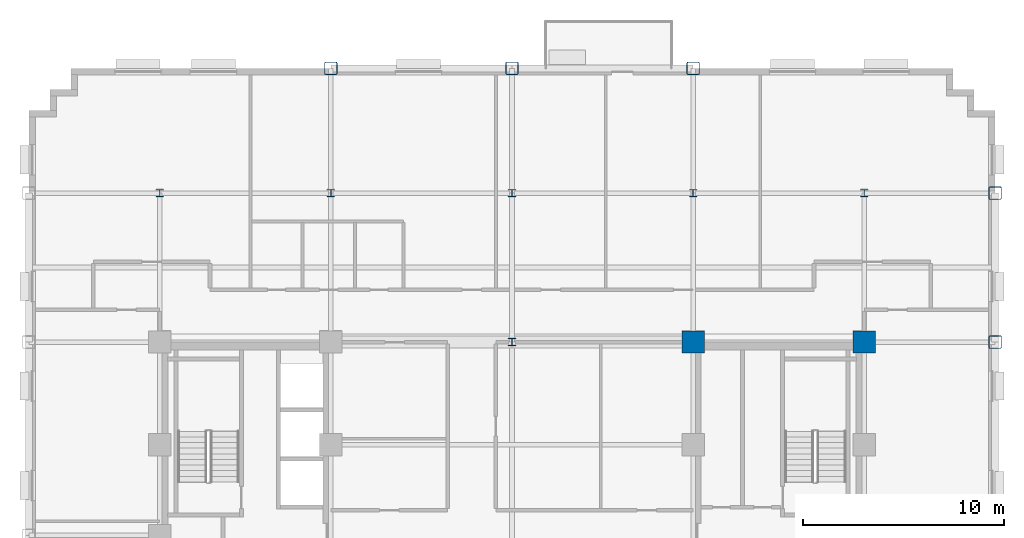
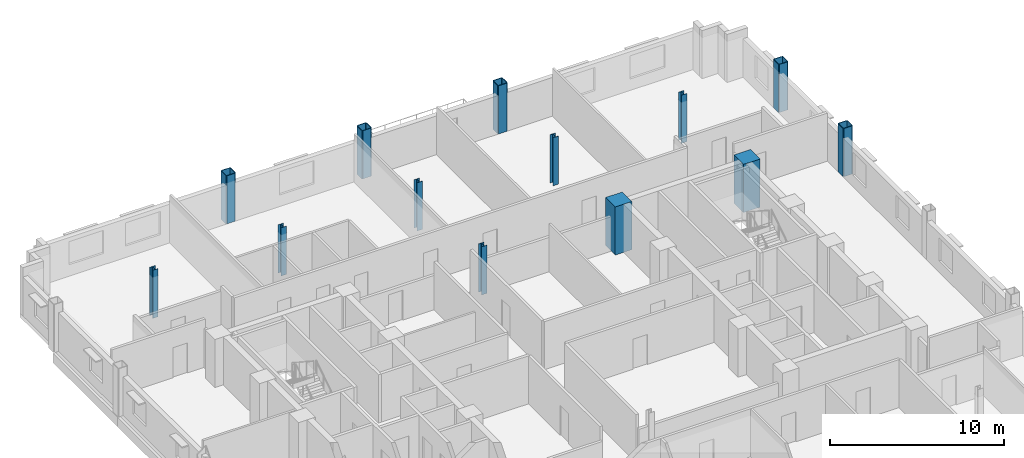
# One storey, part 3 of 14: 13 columns.
"""IFC4 building model written with IfcOpenShell, lengths in metres."""

import ifcopenshell
import ifcopenshell.guid

model = None  # the IFC model being written
_history = None  # IfcOwnerHistory: only IFC2X3 demands one
_inside = {}  # id of a spatial element -> (the spatial element, [elements in it])
_under = {}  # id of a project, library or spatial element -> (it, [spatial elements below it])
_declared = {}  # id of a project -> (the project, [libraries it declares])
_typed = {}  # id of a type object -> (the type object, [elements of that type])
_made_of = {}  # id of a material, layer set ... -> (it, [elements and type objects made of it])


def new_model(schema):
    """Start an empty IFC model of exactly this schema.

    Asked for "IFC4X3", IfcOpenShell would pick the latest addendum, in which some entities
    have other attributes; the version numbers below select the first issue.
    IFC2X3 requires an IfcOwnerHistory on every rooted entity: one is made here for all.
    """
    global model, _history
    if schema == "IFC4X3":
        model = ifcopenshell.file(schema_version=(4, 3, 0, 0))
    else:
        model = ifcopenshell.file(schema=schema)
    _inside.clear()
    _under.clear()
    _declared.clear()
    _typed.clear()
    _made_of.clear()
    _history = None
    if model.schema == "IFC2X3":
        org = make("IfcOrganization", Name="unknown")
        user = make(
            "IfcPersonAndOrganization",
            ThePerson=make("IfcPerson", FamilyName="unknown"),
            TheOrganization=org,
        )
        app = make(
            "IfcApplication",
            ApplicationDeveloper=org,
            Version="unknown",
            ApplicationFullName="unknown",
            ApplicationIdentifier="unknown",
        )
        _history = make(
            "IfcOwnerHistory",
            OwningUser=user,
            OwningApplication=app,
            ChangeAction="ADDED",
            CreationDate=0,
        )
    return model


def make(cls, **values):
    """One entity of the class cls with the attributes given. An attribute that is None is left unset."""
    return model.create_entity(
        cls, **{name: value for name, value in values.items() if value is not None}
    )


def rooted(cls, **values):
    """An entity with a GlobalId (a new one), such as an element, a storey or a relation."""
    return make(cls, GlobalId=ifcopenshell.guid.new(), OwnerHistory=_history, **values)


def si_unit(unit_type, name, prefix=None):
    """IfcSIUnit, for example si_unit("LENGTHUNIT", "METRE", prefix="MILLI")."""
    return make("IfcSIUnit", UnitType=unit_type, Prefix=prefix, Name=name)


def assignment(units):
    """IfcUnitAssignment: the units of a project."""
    return None if units is None else make("IfcUnitAssignment", Units=units)


def point(xyz):
    """IfcCartesianPoint."""
    return None if xyz is None else make("IfcCartesianPoint", Coordinates=xyz)


def direction(xyz):
    """IfcDirection."""
    return None if xyz is None else make("IfcDirection", DirectionRatios=xyz)


def frame(location, z_axis=None, x_axis=None):
    """IfcAxis2Placement3D, a coordinate frame: its origin and axes. An axis left out is left unset."""
    return make(
        "IfcAxis2Placement3D",
        Location=point(location),
        Axis=direction(z_axis),
        RefDirection=direction(x_axis),
    )


def frame_2d(location, x_axis=None):
    """IfcAxis2Placement2D, a coordinate frame in the plane: its origin and x axis."""
    return make(
        "IfcAxis2Placement2D", Location=point(location), RefDirection=direction(x_axis)
    )


def origin():
    """The frame at (0, 0, 0) with its axes left unset."""
    return frame((0.0, 0.0, 0.0))


def origin_2d():
    """The frame at (0, 0) in the plane with its x axis left unset."""
    return frame_2d((0.0, 0.0))


def place(relative_to, where):
    """IfcLocalPlacement: puts the frame where relative to a parent placement (None: the world)."""
    return make(
        "IfcLocalPlacement", PlacementRelTo=relative_to, RelativePlacement=where
    )


def context(
    kind, dimensions, precision=None, world=None, true_north=None, identifier=None
):
    """IfcGeometricRepresentationContext, for example the 3D "Model" context."""
    return make(
        "IfcGeometricRepresentationContext",
        ContextIdentifier=identifier,
        ContextType=kind,
        CoordinateSpaceDimension=dimensions,
        Precision=precision,
        WorldCoordinateSystem=world,
        TrueNorth=true_north,
    )


def subcontext(parent, identifier, kind, view, scale=None):
    """IfcGeometricRepresentationSubContext, for example "Body" below "Model"."""
    return make(
        "IfcGeometricRepresentationSubContext",
        ContextIdentifier=identifier,
        ContextType=kind,
        ParentContext=parent,
        TargetScale=scale,
        TargetView=view,
    )


def project(units=None, contexts=None):
    """IfcProject with its units and contexts."""
    return rooted(
        "IfcProject",
        Name="project",
        RepresentationContexts=contexts,
        UnitsInContext=assignment(units),
    )


def spatial(cls, under=None, at=None, **own):
    """A site, building, storey or space (cls), placed at a placement, below another one or the project."""
    s = rooted(cls, ObjectPlacement=at, **own)
    if under is not None:
        _under.setdefault(under.id(), (under, []))[1].append(s)
    return s


def profile(cls, at=None, kind="AREA", **sizes):
    """A parametric profile (cls). Its sizes go by their IFC names, for example OverallWidth=200.0."""
    return make(cls, ProfileType=kind, Position=at, **sizes)


def rectangle(**sizes):
    """IfcRectangleProfileDef."""
    return profile("IfcRectangleProfileDef", **sizes)


def hollow_rectangle(**sizes):
    """IfcRectangleHollowProfileDef."""
    return profile("IfcRectangleHollowProfileDef", **sizes)


def i_section(**sizes):
    """IfcIShapeProfileDef."""
    return profile("IfcIShapeProfileDef", **sizes)


def extrude(swept, where, along, depth):
    """IfcExtrudedAreaSolid: the profile swept, set in the frame where, extruded along a direction by depth."""
    return make(
        "IfcExtrudedAreaSolid",
        SweptArea=swept,
        Position=where,
        ExtrudedDirection=direction(along),
        Depth=depth,
    )


def shape(context_of_items, identifier, shape_type, items):
    """IfcShapeRepresentation: the items that make up one representation, for example the "Body"."""
    return make(
        "IfcShapeRepresentation",
        ContextOfItems=context_of_items,
        RepresentationIdentifier=identifier,
        RepresentationType=shape_type,
        Items=items,
    )


def material(Name=None, Category=None):
    """IfcMaterial."""
    return make("IfcMaterial", Name=Name, Category=Category)


def material_profile(
    of_material, cross_section, Name=None, Category=None, Priority=None
):
    """IfcMaterialProfile: a cross section and its material."""
    return make(
        "IfcMaterialProfile",
        Name=Name,
        Material=of_material,
        Profile=cross_section,
        Priority=Priority,
        Category=Category,
    )


def profile_set(profiles, Name=None, composite=None):
    """IfcMaterialProfileSet."""
    return make(
        "IfcMaterialProfileSet",
        Name=Name,
        MaterialProfiles=profiles,
        CompositeProfile=composite,
    )


def made_of(thing, what):
    """Note that an element or type object is made of a material, layer set ...; save() writes the relation."""
    if what is not None:
        _made_of.setdefault(what.id(), (what, []))[1].append(thing)
    return thing


def type_object(cls, material=None, **own):
    """A type object (cls), such as IfcWallType, which elements share."""
    return made_of(rooted(cls, **own), material)


def element(
    cls,
    number,
    at=None,
    inside=None,
    cuts=None,
    type_object=None,
    material=None,
    context=None,
    identifier="Body",
    shape_type=None,
    held_by="IfcProductDefinitionShape",
    body=None,
    shapes=None,
    **own,
):
    """One element of the class cls, such as IfcWall. Its Tag is "e" and its number.

    at: its placement. inside: the storey or other place that contains it. cuts: it is an
    opening in that element (IfcRelVoidsElement). A single representation is given by context,
    identifier, shape_type and body (its items); several are given by shapes. held_by: the class
    of the entity that holds the representations. save() writes the other relations.
    """
    e = rooted(cls, Tag="e%d" % number, ObjectPlacement=at, **own)
    if body is not None:
        shapes = [shape(context, identifier, shape_type, body)]
    if shapes is not None:
        e.Representation = make(held_by, Representations=shapes)
    if inside is not None:
        _inside.setdefault(inside.id(), (inside, []))[1].append(e)
    if cuts is not None:
        rooted(
            "IfcRelVoidsElement", RelatingBuildingElement=cuts, RelatedOpeningElement=e
        )
    if type_object is not None:
        _typed.setdefault(type_object.id(), (type_object, []))[1].append(e)
    return made_of(e, material)


def aggregate(whole, parts):
    """IfcRelAggregates: a whole, such as a stair, and the parts it consists of."""
    return rooted("IfcRelAggregates", RelatingObject=whole, RelatedObjects=parts)


def save(model, path):
    """Write the relations noted so far, then the file.

    IfcRelAggregates (storeys below a building ...), IfcRelContainedInSpatialStructure (elements
    in a storey), IfcRelDefinesByType, IfcRelAssociatesMaterial and IfcRelDeclares: one each for
    every whole, place, type object, material and project.
    """
    for whole, parts in _under.values():
        aggregate(whole, parts)
    for where, things in _inside.values():
        rooted(
            "IfcRelContainedInSpatialStructure",
            RelatedElements=things,
            RelatingStructure=where,
        )
    for kind, things in _typed.values():
        rooted("IfcRelDefinesByType", RelatedObjects=things, RelatingType=kind)
    for what, things in _made_of.values():
        rooted("IfcRelAssociatesMaterial", RelatedObjects=things, RelatingMaterial=what)
    for by, libraries in _declared.values():
        rooted("IfcRelDeclares", RelatingContext=by, RelatedDefinitions=libraries)
    model.write(path)


model = new_model("IFC4")

# Units and contexts
model_context = context("Model", 3, precision=1e-05, world=origin(), true_north=direction((0.0, 1.0)))
body_context = subcontext(model_context, "Body", "Model", "MODEL_VIEW")
ifc_project = project(units=[si_unit("LENGTHUNIT", "METRE"), si_unit("AREAUNIT", "SQUARE_METRE"), si_unit("VOLUMEUNIT", "CUBIC_METRE"), si_unit("PLANEANGLEUNIT", "RADIAN"), si_unit("MASSUNIT", "GRAM", prefix="KILO")], contexts=[model_context])

# Site, building, storey
site_placement = place(None, origin())
site = spatial("IfcSite", under=ifc_project, at=site_placement, CompositionType="ELEMENT")
building_placement = place(site_placement, origin())
building = spatial("IfcBuilding", under=site, at=building_placement, Name="Nuvemarco Arch Tower", CompositionType="ELEMENT")
storey_placement = place(building_placement, frame((0.0, 0.0, 105.60009765625)))
storey = spatial("IfcBuildingStorey", under=building, at=storey_placement, Name="L27", CompositionType="ELEMENT", Elevation=105.60009765625)

# Columns
ifc_material_1 = material(Name="Concrete C60/75", Category="concrete")
ifc_material_profile_1 = material_profile(ifc_material_1, rectangle(XDim=1.10009765625, YDim=1.10009765625, at=origin_2d()), Name="RC-COL-1100x1100")
ifc_profile_set_1 = profile_set([ifc_material_profile_1], Name="Concrete C60/75")
column_type_1 = type_object("IfcColumnType", Name="COL-CORE-1100", PredefinedType="COLUMN", material=ifc_profile_set_1)
for number, where, z_axis, x_axis, name in (
    (1, (9.0, 9.60009765625, 0.0), (0.0, 0.0, 1.0), (1.0, 0.0, 0.0), "L27 column CC_+9.0_+9.6"),
    (2, (17.5, 9.60009765625, 0.0), (0.0, 0.0, 1.0), (1.0, 0.0, 0.0), "L27 column CC_+17.5_+9.6"),
):
    element("IfcColumn", number, at=place(storey_placement, frame(where, z_axis=z_axis, x_axis=x_axis)), inside=storey, type_object=column_type_1, Name=name, PredefinedType="COLUMN", context=body_context, shape_type="SweptSolid", body=[
        extrude(rectangle(XDim=1.10009765625, YDim=1.10009765625, at=origin_2d()), origin(), (0.0, 0.0, 1.0), 3.369873046875),
    ])
ifc_material_2 = material(Name="Steel S355", Category="steel")
ifc_material_profile_2 = material_profile(ifc_material_2, hollow_rectangle(XDim=0.64990234375, YDim=0.64990234375, WallThickness=0.0400390625, InnerFilletRadius=0.0400390625, OuterFilletRadius=0.080078125, at=origin_2d()), Name="SHS650x650x40")
ifc_profile_set_2 = profile_set([ifc_material_profile_2], Name="Steel S355")
column_type_2 = type_object("IfcColumnType", Name="COL-EXO-650", PredefinedType="COLUMN", material=ifc_profile_set_2)
for number, where, z_axis, x_axis, name in (
    (3, (24.0, 9.60009765625, 0.0), (0.0, 0.0, 1.0), (1.0, 0.0, 0.0), "L27 column CX_+24.0_+9.6"),
    (4, (24.0, 17.0, 0.0), (0.0, 0.0, 1.0), (1.0, 0.0, 0.0), "L27 column CX_+24.0_+17.0"),
    (5, (-9.0, 23.199951171875, 0.0), (0.0, 0.0, 1.0), (1.0, 0.0, 0.0), "L27 column CY_-9.0_+23.2"),
    (6, (0.0, 23.199951171875, 0.0), (0.0, 0.0, 1.0), (1.0, 0.0, 0.0), "L27 column CY_+0.0_+23.2"),
    (7, (9.0, 23.199951171875, 0.0), (0.0, 0.0, 1.0), (1.0, 0.0, 0.0), "L27 column CY_+9.0_+23.2"),
):
    element("IfcColumn", number, at=place(storey_placement, frame(where, z_axis=z_axis, x_axis=x_axis)), inside=storey, type_object=column_type_2, Name=name, PredefinedType="COLUMN", context=body_context, shape_type="SweptSolid", body=[
        extrude(hollow_rectangle(XDim=0.64990234375, YDim=0.64990234375, WallThickness=0.0400390625, InnerFilletRadius=0.0400390625, OuterFilletRadius=0.080078125, at=origin_2d()), origin(), (0.0, 0.0, 1.0), 3.369873046875),
    ])
ifc_material_profile_3 = material_profile(ifc_material_2, i_section(OverallWidth=0.360107421875, OverallDepth=0.360107421875, WebThickness=0.0205078125, FlangeThickness=0.0205078125, FilletRadius=0.01806640625, at=origin_2d()), Name="HP360x174")
ifc_profile_set_3 = profile_set([ifc_material_profile_3], Name="Steel S355")
column_type_3 = type_object("IfcColumnType", Name="COL-STL-HP360", PredefinedType="COLUMN", material=ifc_profile_set_3)
for number, where, z_axis, x_axis, name in (
    (8, (0.0, 9.60009765625, 0.0), (0.0, 0.0, 1.0), (1.0, 0.0, 0.0), "L27 column CI_+0.0_+9.6"),
    (9, (0.0, 17.0, 0.0), (0.0, 0.0, 1.0), (1.0, 0.0, 0.0), "L27 column CI_+0.0_+17.0"),
    (10, (-17.5, 17.0, 0.0), (0.0, 0.0, 1.0), (1.0, 0.0, 0.0), "L27 column CI_-17.5_+17.0"),
    (11, (-9.0, 17.0, 0.0), (0.0, 0.0, 1.0), (1.0, 0.0, 0.0), "L27 column CI_-9.0_+17.0"),
    (12, (9.0, 17.0, 0.0), (0.0, 0.0, 1.0), (1.0, 0.0, 0.0), "L27 column CI_+9.0_+17.0"),
    (13, (17.5, 17.0, 0.0), (0.0, 0.0, 1.0), (1.0, 0.0, 0.0), "L27 column CI_+17.5_+17.0"),
):
    element("IfcColumn", number, at=place(storey_placement, frame(where, z_axis=z_axis, x_axis=x_axis)), inside=storey, type_object=column_type_3, Name=name, PredefinedType="COLUMN", context=body_context, shape_type="SweptSolid", body=[
        extrude(i_section(OverallWidth=0.360107421875, OverallDepth=0.360107421875, WebThickness=0.0205078125, FlangeThickness=0.0205078125, FilletRadius=0.01806640625, at=origin_2d()), origin(), (0.0, 0.0, 1.0), 3.369873046875),
    ])

save(model, "model.ifc")
